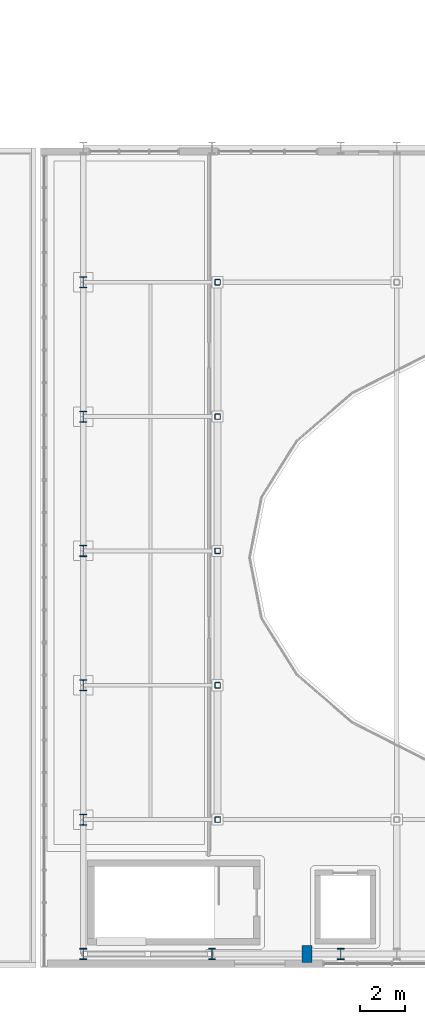
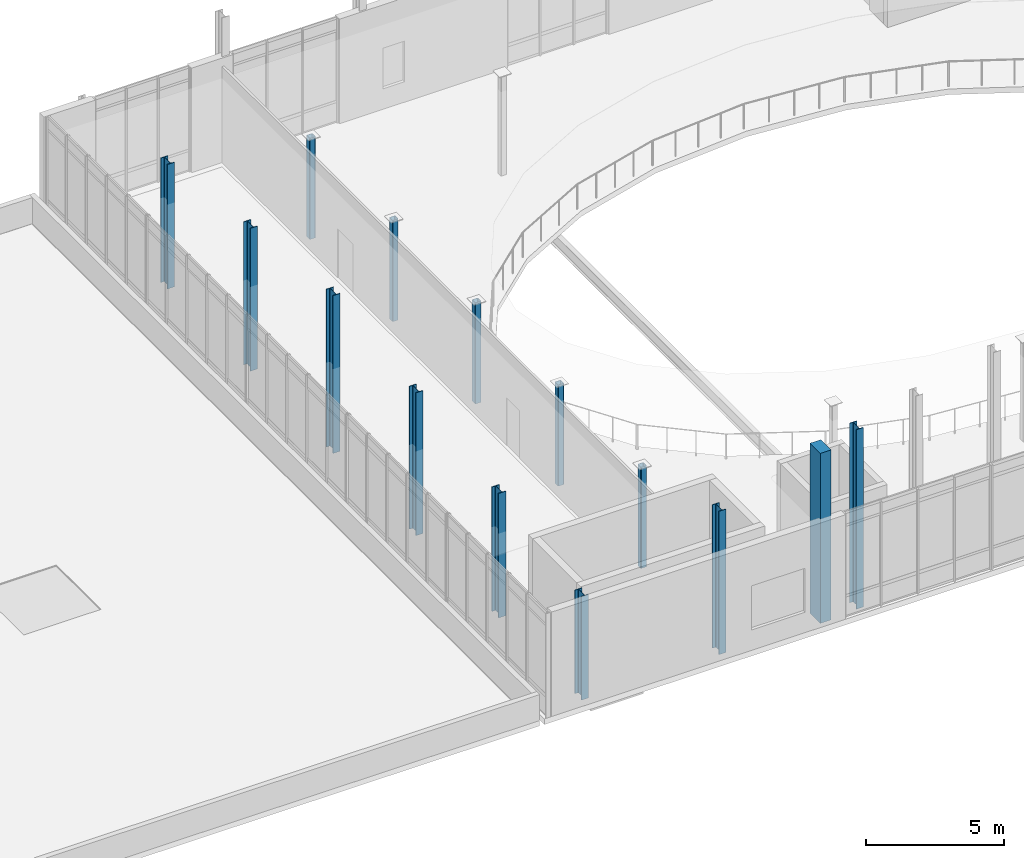
# One storey, part 1 of 86: 14 columns.
"""IFC4 building model written with IfcOpenShell, lengths in metres."""

from ifc_helpers import new_model, si_unit, direction, frame, origin, origin_2d, place, context, subcontext, project, spatial, rectangle, hollow_rectangle, i_section, extrude, material, material_profile, profile_set, type_object, element, save


model = new_model("IFC4")

# Units and contexts
model_context = context("Model", 3, precision=1e-05, world=origin(), true_north=direction((0.0, 1.0)))
body_context = subcontext(model_context, "Body", "Model", "MODEL_VIEW")
ifc_project = project(units=[si_unit("LENGTHUNIT", "METRE"), si_unit("AREAUNIT", "SQUARE_METRE"), si_unit("VOLUMEUNIT", "CUBIC_METRE"), si_unit("PLANEANGLEUNIT", "RADIAN"), si_unit("MASSUNIT", "GRAM", prefix="KILO")], contexts=[model_context])

# Site, building, storey
site_placement = place(None, origin())
site = spatial("IfcSite", under=ifc_project, at=site_placement, CompositionType="ELEMENT")
building_placement = place(site_placement, origin())
building = spatial("IfcBuilding", under=site, at=building_placement, Name="Cymarion Research Institute", CompositionType="ELEMENT")
storey_placement = place(building_placement, frame((0.0, 0.0, 13.800048828125)))
storey = spatial("IfcBuildingStorey", under=building, at=storey_placement, Name="L03", CompositionType="ELEMENT", Elevation=13.800048828125)

# Columns
ifc_material_1 = material(Name="Concrete C40/50", Category="concrete")
ifc_material_profile_1 = material_profile(ifc_material_1, rectangle(XDim=0.449951171875, YDim=0.75, at=origin_2d()), Name="RC 450x750")
ifc_profile_set_1 = profile_set([ifc_material_profile_1], Name="Concrete C40/50")
column_type_1 = type_object("IfcColumnType", Name="CONCRETE PILASTER PL03 RC 450x750", PredefinedType="PILASTER", material=ifc_profile_set_1)
column_1_placement = place(storey_placement, frame((66.60009765625, 5.5, 0.0), z_axis=(0.0, 0.0, 1.0), x_axis=(1.0, 0.0, 0.0)))
element("IfcColumn", 1, at=column_1_placement, inside=storey, type_object=column_type_1, Name="L03 V2 column PL03 #938", PredefinedType="PILASTER", context=body_context, shape_type="SweptSolid", body=[
    extrude(rectangle(XDim=0.449951171875, YDim=0.75, at=origin_2d()), origin(), (0.0, 0.0, 1.0), 7.5205078125),
])
ifc_material_2 = material(Name="Steel S355", Category="steel")
ifc_material_profile_2 = material_profile(ifc_material_2, i_section(OverallWidth=0.300048828125, OverallDepth=0.5, WebThickness=0.014404296875, FlangeThickness=0.028076171875, FilletRadius=0.027099609375, at=origin_2d()), Name="HEB 500")
ifc_profile_set_2 = profile_set([ifc_material_profile_2], Name="Steel S355")
column_type_2 = type_object("IfcColumnType", Name="STRUCTURAL COLUMN C04 HEB 500", PredefinedType="COLUMN", material=ifc_profile_set_2)
column_2_placement = place(storey_placement, frame((56.60009765625, 5.5, 0.0), z_axis=(0.0, 0.0, 1.0), x_axis=(1.0, 0.0, 0.0)))
element("IfcColumn", 2, at=column_2_placement, inside=storey, type_object=column_type_2, Name="L03 V2 column C04 #924", PredefinedType="COLUMN", context=body_context, shape_type="SweptSolid", body=[
    extrude(i_section(OverallWidth=0.300048828125, OverallDepth=0.5, WebThickness=0.014404296875, FlangeThickness=0.028076171875, FilletRadius=0.027099609375, at=origin_2d()), origin(), (0.0, 0.0, 1.0), 4.577880859375),
])
column_3_placement = place(storey_placement, frame((56.60009765625, 11.5, 0.0), z_axis=(0.0, 0.0, 1.0), x_axis=(1.0, 0.0, 0.0)))
element("IfcColumn", 3, at=column_3_placement, inside=storey, type_object=column_type_2, Name="L03 V2 column C04 #925", PredefinedType="COLUMN", context=body_context, shape_type="SweptSolid", body=[
    extrude(i_section(OverallWidth=0.300048828125, OverallDepth=0.5, WebThickness=0.014404296875, FlangeThickness=0.028076171875, FilletRadius=0.027099609375, at=origin_2d()), origin(), (0.0, 0.0, 1.0), 5.508056640625),
])
column_4_placement = place(storey_placement, frame((56.60009765625, 17.5, 0.0), z_axis=(0.0, 0.0, 1.0), x_axis=(1.0, 0.0, 0.0)))
element("IfcColumn", 4, at=column_4_placement, inside=storey, type_object=column_type_2, Name="L03 V2 column C04 #926", PredefinedType="COLUMN", context=body_context, shape_type="SweptSolid", body=[
    extrude(i_section(OverallWidth=0.300048828125, OverallDepth=0.5, WebThickness=0.014404296875, FlangeThickness=0.028076171875, FilletRadius=0.027099609375, at=origin_2d()), origin(), (0.0, 0.0, 1.0), 6.31787109375),
])
column_5_placement = place(storey_placement, frame((56.60009765625, 23.5, 0.0), z_axis=(0.0, 0.0, 1.0), x_axis=(1.0, 0.0, 0.0)))
element("IfcColumn", 5, at=column_5_placement, inside=storey, type_object=column_type_2, Name="L03 V2 column C04 #927", PredefinedType="COLUMN", context=body_context, shape_type="SweptSolid", body=[
    extrude(i_section(OverallWidth=0.300048828125, OverallDepth=0.5, WebThickness=0.014404296875, FlangeThickness=0.028076171875, FilletRadius=0.027099609375, at=origin_2d()), origin(), (0.0, 0.0, 1.0), 6.97802734375),
])
column_6_placement = place(storey_placement, frame((56.60009765625, 29.5, 0.0), z_axis=(0.0, 0.0, 1.0), x_axis=(1.0, 0.0, 0.0)))
element("IfcColumn", 6, at=column_6_placement, inside=storey, type_object=column_type_2, Name="L03 V2 column C04 #928", PredefinedType="COLUMN", context=body_context, shape_type="SweptSolid", body=[
    extrude(i_section(OverallWidth=0.300048828125, OverallDepth=0.5, WebThickness=0.014404296875, FlangeThickness=0.028076171875, FilletRadius=0.027099609375, at=origin_2d()), origin(), (0.0, 0.0, 1.0), 6.31787109375),
])
column_7_placement = place(storey_placement, frame((56.60009765625, 35.5, 0.0), z_axis=(0.0, 0.0, 1.0), x_axis=(1.0, 0.0, 0.0)))
element("IfcColumn", 7, at=column_7_placement, inside=storey, type_object=column_type_2, Name="L03 V2 column C04 #929", PredefinedType="COLUMN", context=body_context, shape_type="SweptSolid", body=[
    extrude(i_section(OverallWidth=0.300048828125, OverallDepth=0.5, WebThickness=0.014404296875, FlangeThickness=0.028076171875, FilletRadius=0.027099609375, at=origin_2d()), origin(), (0.0, 0.0, 1.0), 5.508056640625),
])
column_8_placement = place(storey_placement, frame((62.35009765625, 5.5, 0.0), z_axis=(0.0, 0.0, 1.0), x_axis=(1.0, 0.0, 0.0)))
element("IfcColumn", 8, at=column_8_placement, inside=storey, type_object=column_type_2, Name="L03 V2 column C04 #931", PredefinedType="COLUMN", context=body_context, shape_type="SweptSolid", body=[
    extrude(i_section(OverallWidth=0.300048828125, OverallDepth=0.5, WebThickness=0.014404296875, FlangeThickness=0.028076171875, FilletRadius=0.027099609375, at=origin_2d()), origin(), (0.0, 0.0, 1.0), 6.337890625),
])
column_9_placement = place(storey_placement, frame((68.10009765625, 5.5, 0.0), z_axis=(0.0, 0.0, 1.0), x_axis=(1.0, 0.0, 0.0)))
element("IfcColumn", 9, at=column_9_placement, inside=storey, type_object=column_type_2, Name="L03 V2 column C04 #939", PredefinedType="COLUMN", context=body_context, shape_type="SweptSolid", body=[
    extrude(i_section(OverallWidth=0.300048828125, OverallDepth=0.5, WebThickness=0.014404296875, FlangeThickness=0.028076171875, FilletRadius=0.027099609375, at=origin_2d()), origin(), (0.0, 0.0, 1.0), 7.93798828125),
])
ifc_material_profile_3 = material_profile(ifc_material_2, hollow_rectangle(XDim=0.25, YDim=0.25, WallThickness=0.012451171875, InnerFilletRadius=0.018798828125, OuterFilletRadius=0.03125, at=origin_2d()), Name="SHS 250x250x12.5")
ifc_profile_set_3 = profile_set([ifc_material_profile_3], Name="Steel S355")
column_type_3 = type_object("IfcColumnType", Name="STRUCTURAL COLUMN C15 SHS 250x250x12.5", PredefinedType="COLUMN", material=ifc_profile_set_3)
for number, where, z_axis, x_axis, name in (
    (10, (62.60009765625, 11.5, 0.0), (0.0, 0.0, 1.0), (1.0, 0.0, 0.0), "L03 V2 column C15 #933"),
    (11, (62.60009765625, 17.5, 0.0), (0.0, 0.0, 1.0), (1.0, 0.0, 0.0), "L03 V2 column C15 #934"),
    (12, (62.60009765625, 23.5, 0.0), (0.0, 0.0, 1.0), (1.0, 0.0, 0.0), "L03 V2 column C15 #935"),
    (13, (62.60009765625, 29.5, 0.0), (0.0, 0.0, 1.0), (1.0, 0.0, 0.0), "L03 V2 column C15 #936"),
    (14, (62.60009765625, 35.5, 0.0), (0.0, 0.0, 1.0), (1.0, 0.0, 0.0), "L03 V2 column C15 #937"),
):
    element("IfcColumn", number, at=place(storey_placement, frame(where, z_axis=z_axis, x_axis=x_axis)), inside=storey, type_object=column_type_3, Name=name, PredefinedType="COLUMN", context=body_context, shape_type="SweptSolid", body=[
        extrude(hollow_rectangle(XDim=0.25, YDim=0.25, WallThickness=0.012451171875, InnerFilletRadius=0.018798828125, OuterFilletRadius=0.03125, at=origin_2d()), origin(), (0.0, 0.0, 1.0), 4.469970703125),
    ])

save(model, "model.ifc")
